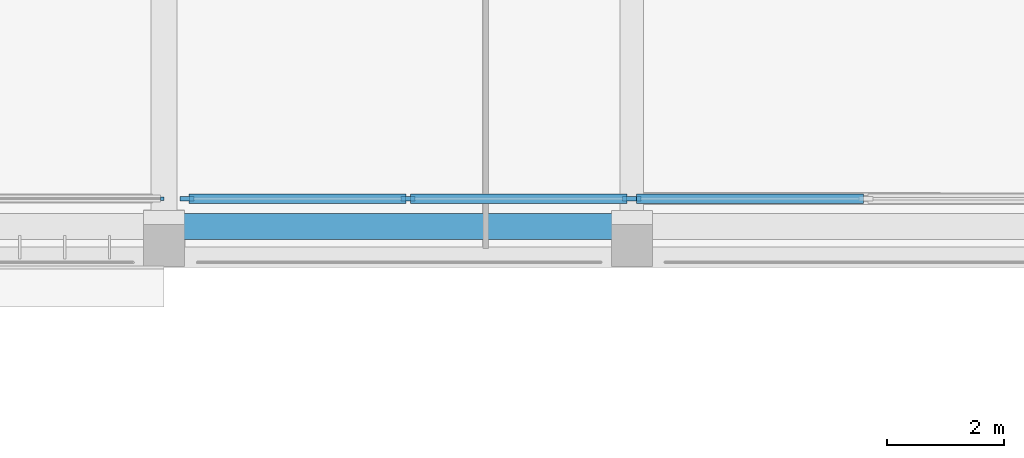
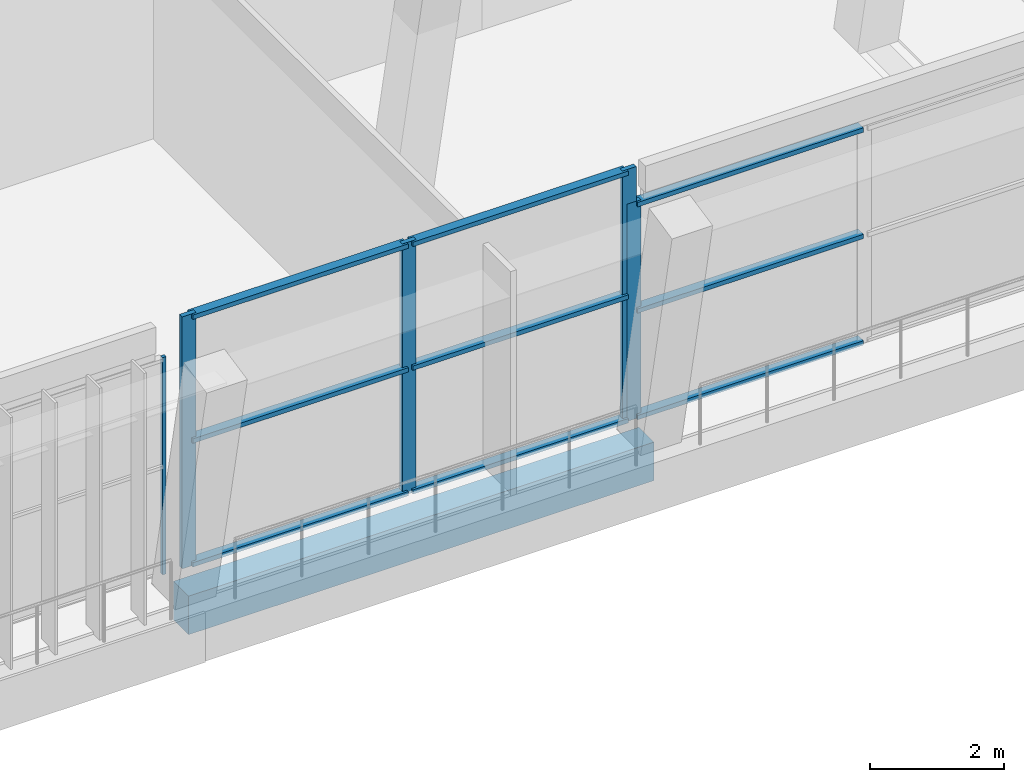
# One storey, part 4 of 73: 14 members, 1 beam, 3 elements without a shape of their own.
"""IFC4 building model written with IfcOpenShell, lengths in metres."""

from ifc_helpers import new_model, si_unit, direction, frame, origin, origin_2d, place, context, subcontext, project, spatial, rectangle, extrude, material, material_profile, profile_set, type_object, element, aggregate, save


model = new_model("IFC4")

# Units and contexts
model_context = context("Model", 3, precision=1e-05, world=origin(), true_north=direction((0.0, 1.0)))
body_context = subcontext(model_context, "Body", "Model", "MODEL_VIEW")
ifc_project = project(units=[si_unit("LENGTHUNIT", "METRE"), si_unit("AREAUNIT", "SQUARE_METRE"), si_unit("VOLUMEUNIT", "CUBIC_METRE"), si_unit("PLANEANGLEUNIT", "RADIAN"), si_unit("MASSUNIT", "GRAM", prefix="KILO")], contexts=[model_context])

# Site, building, storey
site_placement = place(None, origin())
site = spatial("IfcSite", under=ifc_project, at=site_placement, CompositionType="ELEMENT")
building_placement = place(site_placement, origin())
building = spatial("IfcBuilding", under=site, at=building_placement, Name="Lantern Court Media Centre", CompositionType="ELEMENT")
storey_placement = place(building_placement, frame((0.0, 0.0, 24.0)))
storey = spatial("IfcBuildingStorey", under=building, at=storey_placement, Name="L05", CompositionType="ELEMENT", Elevation=24.0)

# Curtain wall, member
ifc_material_1 = material(Name="Curtain wall bay 3000")
curtain_wall_type_1 = type_object("IfcCurtainWallType", Name="Curtain wall bay 3000", PredefinedType="NOTDEFINED", material=ifc_material_1)
curtain_wall_1_placement = place(storey_placement, origin())
curtain_wall_1 = element("IfcCurtainWall", 1, at=curtain_wall_1_placement, inside=storey, type_object=curtain_wall_type_1, Name="Curtain wall S outer L05", PredefinedType="NOTDEFINED")
ifc_material_2 = material(Name="Anodised aluminium", Category="aluminium")
ifc_material_profile_1 = material_profile(ifc_material_2, rectangle(XDim=0.06005859375, YDim=0.06005859375, at=origin_2d()), Name="AL 60x60")
ifc_profile_set_1 = profile_set([ifc_material_profile_1], Name="Anodised aluminium")
member_type_1 = type_object("IfcMemberType", Name="Curtain wall mullion 60x60", PredefinedType="MULLION", material=ifc_profile_set_1)
member_1_placement = place(storey_placement, frame((39.969970703125, 44.14990234375, 0.0), z_axis=(0.0, 0.0, 1.0), x_axis=(0.0, 1.0, 0.0)))
member_1 = element("IfcMember", 2, at=member_1_placement, type_object=member_type_1, Name="CW1 mullion 6", PredefinedType="MULLION", context=body_context, shape_type="SweptSolid", body=[
    extrude(rectangle(XDim=0.06005859375, YDim=0.06005859375, at=origin_2d()), origin(), (0.0, 0.0, 1.0), 3.949951171875),
])
aggregate(curtain_wall_1, [member_1])

# Curtain wall, members
ifc_material_3 = material(Name="Curtain wall bay 4000")
curtain_wall_type_2 = type_object("IfcCurtainWallType", Name="Curtain wall bay 4000", PredefinedType="NOTDEFINED", material=ifc_material_3)
curtain_wall_2_placement = place(storey_placement, origin())
curtain_wall_2 = element("IfcCurtainWall", 3, at=curtain_wall_2_placement, inside=storey, type_object=curtain_wall_type_2, Name="Curtain wall S outer L05", PredefinedType="NOTDEFINED")
ifc_material_profile_2 = material_profile(ifc_material_2, rectangle(XDim=0.080078125, YDim=0.239990234375, at=origin_2d()), Name="AL 80x240")
ifc_profile_set_2 = profile_set([ifc_material_profile_2], Name="Anodised aluminium")
member_type_2 = type_object("IfcMemberType", Name="Curtain wall mullion 80x240", PredefinedType="MULLION", material=ifc_profile_set_2)
member_2_placement = place(storey_placement, frame((40.389892578125, 44.14990234375, 0.0), z_axis=(0.0, 0.0, 1.0), x_axis=(0.0, 1.0, 0.0)))
member_2 = element("IfcMember", 4, at=member_2_placement, type_object=member_type_2, Name="CW3 mullion 1", PredefinedType="MULLION", context=body_context, shape_type="SweptSolid", body=[
    extrude(rectangle(XDim=0.080078125, YDim=0.239990234375, at=origin_2d()), origin(), (0.0, 0.0, 1.0), 4.580078125),
])
member_3_placement = place(storey_placement, frame((44.175048828125, 44.14990234375, 0.0), z_axis=(0.0, 0.0, 1.0), x_axis=(0.0, 1.0, 0.0)))
member_3 = element("IfcMember", 5, at=member_3_placement, type_object=member_type_2, Name="CW3 mullion 2", PredefinedType="MULLION", context=body_context, shape_type="SweptSolid", body=[
    extrude(rectangle(XDim=0.080078125, YDim=0.239990234375, at=origin_2d()), origin(), (0.0, 0.0, 1.0), 4.580078125),
])
member_4_placement = place(storey_placement, frame((47.9599609375, 44.14990234375, 0.0), z_axis=(0.0, 0.0, 1.0), x_axis=(0.0, 1.0, 0.0)))
member_4 = element("IfcMember", 6, at=member_4_placement, type_object=member_type_2, Name="CW3 mullion 3", PredefinedType="MULLION", context=body_context, shape_type="SweptSolid", body=[
    extrude(rectangle(XDim=0.080078125, YDim=0.239990234375, at=origin_2d()), origin(), (0.0, 0.0, 1.0), 4.580078125),
])

# Curtain wall, member
curtain_wall_3_placement = place(storey_placement, origin())
curtain_wall_3 = element("IfcCurtainWall", 7, at=curtain_wall_3_placement, inside=storey, type_object=curtain_wall_type_2, Name="Curtain wall S outer L05", PredefinedType="NOTDEFINED")
member_5_placement = place(storey_placement, frame((48.0400390625, 44.14990234375, 0.0), z_axis=(0.0, 0.0, 1.0), x_axis=(0.0, 1.0, 0.0)))
member_5 = element("IfcMember", 8, at=member_5_placement, type_object=member_type_2, Name="CW3 mullion 1", PredefinedType="MULLION", context=body_context, shape_type="SweptSolid", body=[
    extrude(rectangle(XDim=0.080078125, YDim=0.239990234375, at=origin_2d()), origin(), (0.0, 0.0, 1.0), 3.949951171875),
])

# Member
ifc_material_profile_3 = material_profile(ifc_material_2, rectangle(XDim=0.159912109375, YDim=0.080078125, at=origin_2d()), Name="AL 80x160")
ifc_profile_set_3 = profile_set([ifc_material_profile_3], Name="Anodised aluminium")
member_type_3 = type_object("IfcMemberType", Name="Curtain wall transom 160x80", PredefinedType="USERDEFINED", material=ifc_profile_set_3)
member_6_placement = place(storey_placement, frame((40.429931640625, 44.14990234375, 0.0400390625), z_axis=(1.0, 0.0, 0.0), x_axis=(0.0, 1.0, 0.0)))
member_6 = element("IfcMember", 9, at=member_6_placement, type_object=member_type_3, Name="CW3 transom 1.1", ObjectType="TRANSOM", PredefinedType="USERDEFINED", context=body_context, shape_type="SweptSolid", body=[
    extrude(rectangle(XDim=0.159912109375, YDim=0.080078125, at=origin_2d()), origin(), (0.0, 0.0, 1.0), 3.705078125),
])

member_7_placement = place(storey_placement, frame((40.429931640625, 44.14990234375, 2.2900390625), z_axis=(1.0, 0.0, 0.0), x_axis=(0.0, 1.0, 0.0)))
member_7 = element("IfcMember", 10, at=member_7_placement, type_object=member_type_3, Name="CW3 transom 1.2", ObjectType="TRANSOM", PredefinedType="USERDEFINED", context=body_context, shape_type="SweptSolid", body=[
    extrude(rectangle(XDim=0.159912109375, YDim=0.080078125, at=origin_2d()), origin(), (0.0, 0.0, 1.0), 3.705078125),
])

member_8_placement = place(storey_placement, frame((40.429931640625, 44.14990234375, 4.5400390625), z_axis=(1.0, 0.0, 0.0), x_axis=(0.0, 1.0, 0.0)))
member_8 = element("IfcMember", 11, at=member_8_placement, type_object=member_type_3, Name="CW3 transom 1.3", ObjectType="TRANSOM", PredefinedType="USERDEFINED", context=body_context, shape_type="SweptSolid", body=[
    extrude(rectangle(XDim=0.159912109375, YDim=0.080078125, at=origin_2d()), origin(), (0.0, 0.0, 1.0), 3.705078125),
])

member_9_placement = place(storey_placement, frame((44.215087890625, 44.14990234375, 0.0400390625), z_axis=(1.0, 0.0, 0.0), x_axis=(0.0, 1.0, 0.0)))
member_9 = element("IfcMember", 12, at=member_9_placement, type_object=member_type_3, Name="CW3 transom 2.1", ObjectType="TRANSOM", PredefinedType="USERDEFINED", context=body_context, shape_type="SweptSolid", body=[
    extrude(rectangle(XDim=0.159912109375, YDim=0.080078125, at=origin_2d()), origin(), (0.0, 0.0, 1.0), 3.704833984375),
])

member_10_placement = place(storey_placement, frame((44.215087890625, 44.14990234375, 2.2900390625), z_axis=(1.0, 0.0, 0.0), x_axis=(0.0, 1.0, 0.0)))
member_10 = element("IfcMember", 13, at=member_10_placement, type_object=member_type_3, Name="CW3 transom 2.2", ObjectType="TRANSOM", PredefinedType="USERDEFINED", context=body_context, shape_type="SweptSolid", body=[
    extrude(rectangle(XDim=0.159912109375, YDim=0.080078125, at=origin_2d()), origin(), (0.0, 0.0, 1.0), 3.704833984375),
])

member_11_placement = place(storey_placement, frame((44.215087890625, 44.14990234375, 4.5400390625), z_axis=(1.0, 0.0, 0.0), x_axis=(0.0, 1.0, 0.0)))
member_11 = element("IfcMember", 14, at=member_11_placement, type_object=member_type_3, Name="CW3 transom 2.3", ObjectType="TRANSOM", PredefinedType="USERDEFINED", context=body_context, shape_type="SweptSolid", body=[
    extrude(rectangle(XDim=0.159912109375, YDim=0.080078125, at=origin_2d()), origin(), (0.0, 0.0, 1.0), 3.704833984375),
])

aggregate(curtain_wall_2, [member_2, member_3, member_4, member_6, member_7, member_8, member_9, member_10, member_11])

member_12_placement = place(storey_placement, frame((48.080078125, 44.14990234375, 0.0400390625), z_axis=(1.0, 0.0, 0.0), x_axis=(0.0, 1.0, 0.0)))
member_12 = element("IfcMember", 15, at=member_12_placement, type_object=member_type_3, Name="CW3 transom 1.1", ObjectType="TRANSOM", PredefinedType="USERDEFINED", context=body_context, shape_type="SweptSolid", body=[
    extrude(rectangle(XDim=0.159912109375, YDim=0.080078125, at=origin_2d()), origin(), (0.0, 0.0, 1.0), 3.8798828125),
])

member_13_placement = place(storey_placement, frame((48.080078125, 44.14990234375, 1.97509765625), z_axis=(1.0, 0.0, 0.0), x_axis=(0.0, 1.0, 0.0)))
member_13 = element("IfcMember", 16, at=member_13_placement, type_object=member_type_3, Name="CW3 transom 1.2", ObjectType="TRANSOM", PredefinedType="USERDEFINED", context=body_context, shape_type="SweptSolid", body=[
    extrude(rectangle(XDim=0.159912109375, YDim=0.080078125, at=origin_2d()), origin(), (0.0, 0.0, 1.0), 3.8798828125),
])

member_14_placement = place(storey_placement, frame((48.080078125, 44.14990234375, 3.909912109375), z_axis=(1.0, 0.0, 0.0), x_axis=(0.0, 1.0, 0.0)))
member_14 = element("IfcMember", 17, at=member_14_placement, type_object=member_type_3, Name="CW3 transom 1.3", ObjectType="TRANSOM", PredefinedType="USERDEFINED", context=body_context, shape_type="SweptSolid", body=[
    extrude(rectangle(XDim=0.159912109375, YDim=0.080078125, at=origin_2d()), origin(), (0.0, 0.0, 1.0), 3.8798828125),
])

aggregate(curtain_wall_3, [member_5, member_12, member_13, member_14])

# Beam
ifc_material_4 = material(Name="Concrete C35", Category="concrete")
ifc_material_profile_4 = material_profile(ifc_material_4, rectangle(XDim=0.449951171875, YDim=0.699951171875, at=origin_2d()), Name="RC 450x700")
ifc_profile_set_4 = profile_set([ifc_material_profile_4], Name="Concrete C35")
beam_type = type_object("IfcBeamType", Name="RC BEAM 450x700", PredefinedType="BEAM", material=ifc_profile_set_4)
beam_placement = place(storey_placement, frame((40.0, 43.6728515625, -0.35009765625), z_axis=(1.0, 0.0, 0.0), x_axis=(0.0, 1.0, 0.0)))
element("IfcBeam", 18, at=beam_placement, inside=storey, type_object=beam_type, Name="LB-S-L05-0-2", PredefinedType="BEAM", context=body_context, shape_type="SweptSolid", body=[
    extrude(rectangle(XDim=0.449951171875, YDim=0.699951171875, at=origin_2d()), origin(), (0.0, 0.0, 1.0), 8.0),
])

save(model, "model.ifc")
